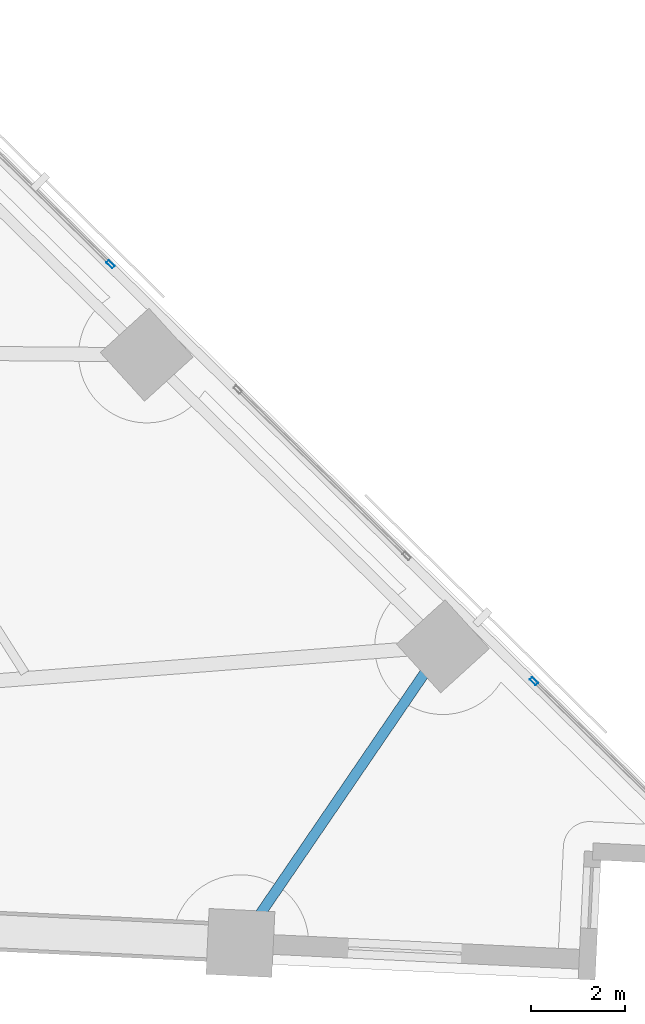
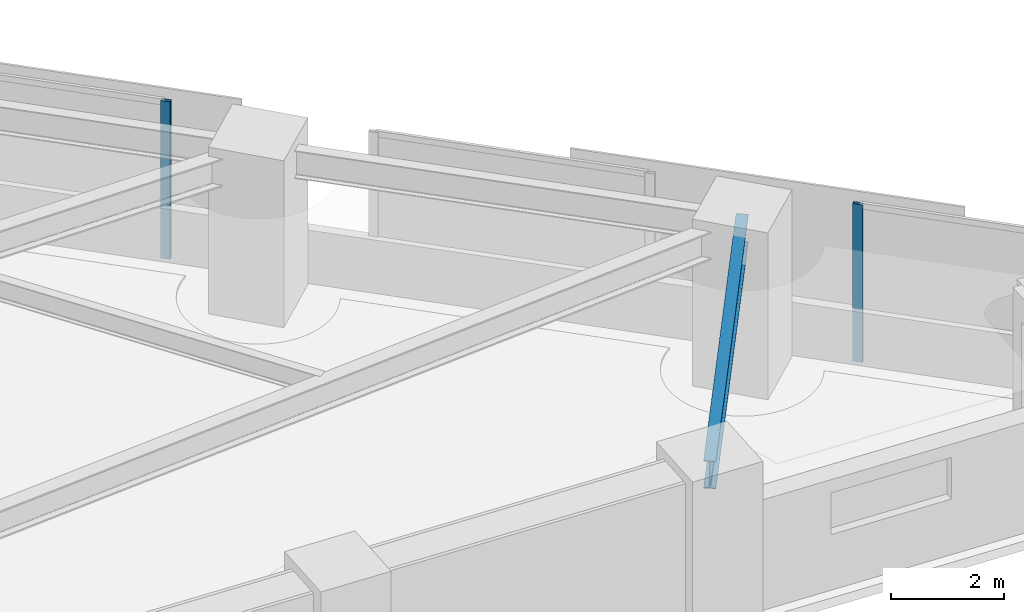
# One storey, part 4 of 17: 2 members, 1 beam, 2 elements without a shape of their own.
"""IFC4 building model written with IfcOpenShell, lengths in metres."""

import ifcopenshell
import ifcopenshell.guid

model = None  # the IFC model being written
_history = None  # IfcOwnerHistory: only IFC2X3 demands one
_inside = {}  # id of a spatial element -> (the spatial element, [elements in it])
_under = {}  # id of a project, library or spatial element -> (it, [spatial elements below it])
_declared = {}  # id of a project -> (the project, [libraries it declares])
_typed = {}  # id of a type object -> (the type object, [elements of that type])
_made_of = {}  # id of a material, layer set ... -> (it, [elements and type objects made of it])


def new_model(schema):
    """Start an empty IFC model of exactly this schema.

    Asked for "IFC4X3", IfcOpenShell would pick the latest addendum, in which some entities
    have other attributes; the version numbers below select the first issue.
    IFC2X3 requires an IfcOwnerHistory on every rooted entity: one is made here for all.
    """
    global model, _history
    if schema == "IFC4X3":
        model = ifcopenshell.file(schema_version=(4, 3, 0, 0))
    else:
        model = ifcopenshell.file(schema=schema)
    _inside.clear()
    _under.clear()
    _declared.clear()
    _typed.clear()
    _made_of.clear()
    _history = None
    if model.schema == "IFC2X3":
        org = make("IfcOrganization", Name="unknown")
        user = make(
            "IfcPersonAndOrganization",
            ThePerson=make("IfcPerson", FamilyName="unknown"),
            TheOrganization=org,
        )
        app = make(
            "IfcApplication",
            ApplicationDeveloper=org,
            Version="unknown",
            ApplicationFullName="unknown",
            ApplicationIdentifier="unknown",
        )
        _history = make(
            "IfcOwnerHistory",
            OwningUser=user,
            OwningApplication=app,
            ChangeAction="ADDED",
            CreationDate=0,
        )
    return model


def make(cls, **values):
    """One entity of the class cls with the attributes given. An attribute that is None is left unset."""
    return model.create_entity(
        cls, **{name: value for name, value in values.items() if value is not None}
    )


def rooted(cls, **values):
    """An entity with a GlobalId (a new one), such as an element, a storey or a relation."""
    return make(cls, GlobalId=ifcopenshell.guid.new(), OwnerHistory=_history, **values)


def si_unit(unit_type, name, prefix=None):
    """IfcSIUnit, for example si_unit("LENGTHUNIT", "METRE", prefix="MILLI")."""
    return make("IfcSIUnit", UnitType=unit_type, Prefix=prefix, Name=name)


def assignment(units):
    """IfcUnitAssignment: the units of a project."""
    return None if units is None else make("IfcUnitAssignment", Units=units)


def point(xyz):
    """IfcCartesianPoint."""
    return None if xyz is None else make("IfcCartesianPoint", Coordinates=xyz)


def direction(xyz):
    """IfcDirection."""
    return None if xyz is None else make("IfcDirection", DirectionRatios=xyz)


def frame(location, z_axis=None, x_axis=None):
    """IfcAxis2Placement3D, a coordinate frame: its origin and axes. An axis left out is left unset."""
    return make(
        "IfcAxis2Placement3D",
        Location=point(location),
        Axis=direction(z_axis),
        RefDirection=direction(x_axis),
    )


def frame_2d(location, x_axis=None):
    """IfcAxis2Placement2D, a coordinate frame in the plane: its origin and x axis."""
    return make(
        "IfcAxis2Placement2D", Location=point(location), RefDirection=direction(x_axis)
    )


def origin():
    """The frame at (0, 0, 0) with its axes left unset."""
    return frame((0.0, 0.0, 0.0))


def origin_2d():
    """The frame at (0, 0) in the plane with its x axis left unset."""
    return frame_2d((0.0, 0.0))


def place(relative_to, where):
    """IfcLocalPlacement: puts the frame where relative to a parent placement (None: the world)."""
    return make(
        "IfcLocalPlacement", PlacementRelTo=relative_to, RelativePlacement=where
    )


def context(
    kind, dimensions, precision=None, world=None, true_north=None, identifier=None
):
    """IfcGeometricRepresentationContext, for example the 3D "Model" context."""
    return make(
        "IfcGeometricRepresentationContext",
        ContextIdentifier=identifier,
        ContextType=kind,
        CoordinateSpaceDimension=dimensions,
        Precision=precision,
        WorldCoordinateSystem=world,
        TrueNorth=true_north,
    )


def subcontext(parent, identifier, kind, view, scale=None):
    """IfcGeometricRepresentationSubContext, for example "Body" below "Model"."""
    return make(
        "IfcGeometricRepresentationSubContext",
        ContextIdentifier=identifier,
        ContextType=kind,
        ParentContext=parent,
        TargetScale=scale,
        TargetView=view,
    )


def project(units=None, contexts=None):
    """IfcProject with its units and contexts."""
    return rooted(
        "IfcProject",
        Name="project",
        RepresentationContexts=contexts,
        UnitsInContext=assignment(units),
    )


def spatial(cls, under=None, at=None, **own):
    """A site, building, storey or space (cls), placed at a placement, below another one or the project."""
    s = rooted(cls, ObjectPlacement=at, **own)
    if under is not None:
        _under.setdefault(under.id(), (under, []))[1].append(s)
    return s


def profile(cls, at=None, kind="AREA", **sizes):
    """A parametric profile (cls). Its sizes go by their IFC names, for example OverallWidth=200.0."""
    return make(cls, ProfileType=kind, Position=at, **sizes)


def hollow_rectangle(**sizes):
    """IfcRectangleHollowProfileDef."""
    return profile("IfcRectangleHollowProfileDef", **sizes)


def i_section(**sizes):
    """IfcIShapeProfileDef."""
    return profile("IfcIShapeProfileDef", **sizes)


def extrude(swept, where, along, depth):
    """IfcExtrudedAreaSolid: the profile swept, set in the frame where, extruded along a direction by depth."""
    return make(
        "IfcExtrudedAreaSolid",
        SweptArea=swept,
        Position=where,
        ExtrudedDirection=direction(along),
        Depth=depth,
    )


def shape(context_of_items, identifier, shape_type, items):
    """IfcShapeRepresentation: the items that make up one representation, for example the "Body"."""
    return make(
        "IfcShapeRepresentation",
        ContextOfItems=context_of_items,
        RepresentationIdentifier=identifier,
        RepresentationType=shape_type,
        Items=items,
    )


def material(Name=None, Category=None):
    """IfcMaterial."""
    return make("IfcMaterial", Name=Name, Category=Category)


def material_profile(
    of_material, cross_section, Name=None, Category=None, Priority=None
):
    """IfcMaterialProfile: a cross section and its material."""
    return make(
        "IfcMaterialProfile",
        Name=Name,
        Material=of_material,
        Profile=cross_section,
        Priority=Priority,
        Category=Category,
    )


def profile_set(profiles, Name=None, composite=None):
    """IfcMaterialProfileSet."""
    return make(
        "IfcMaterialProfileSet",
        Name=Name,
        MaterialProfiles=profiles,
        CompositeProfile=composite,
    )


def made_of(thing, what):
    """Note that an element or type object is made of a material, layer set ...; save() writes the relation."""
    if what is not None:
        _made_of.setdefault(what.id(), (what, []))[1].append(thing)
    return thing


def type_object(cls, material=None, **own):
    """A type object (cls), such as IfcWallType, which elements share."""
    return made_of(rooted(cls, **own), material)


def element(
    cls,
    number,
    at=None,
    inside=None,
    cuts=None,
    type_object=None,
    material=None,
    context=None,
    identifier="Body",
    shape_type=None,
    held_by="IfcProductDefinitionShape",
    body=None,
    shapes=None,
    **own,
):
    """One element of the class cls, such as IfcWall. Its Tag is "e" and its number.

    at: its placement. inside: the storey or other place that contains it. cuts: it is an
    opening in that element (IfcRelVoidsElement). A single representation is given by context,
    identifier, shape_type and body (its items); several are given by shapes. held_by: the class
    of the entity that holds the representations. save() writes the other relations.
    """
    e = rooted(cls, Tag="e%d" % number, ObjectPlacement=at, **own)
    if body is not None:
        shapes = [shape(context, identifier, shape_type, body)]
    if shapes is not None:
        e.Representation = make(held_by, Representations=shapes)
    if inside is not None:
        _inside.setdefault(inside.id(), (inside, []))[1].append(e)
    if cuts is not None:
        rooted(
            "IfcRelVoidsElement", RelatingBuildingElement=cuts, RelatedOpeningElement=e
        )
    if type_object is not None:
        _typed.setdefault(type_object.id(), (type_object, []))[1].append(e)
    return made_of(e, material)


def aggregate(whole, parts):
    """IfcRelAggregates: a whole, such as a stair, and the parts it consists of."""
    return rooted("IfcRelAggregates", RelatingObject=whole, RelatedObjects=parts)


def save(model, path):
    """Write the relations noted so far, then the file.

    IfcRelAggregates (storeys below a building ...), IfcRelContainedInSpatialStructure (elements
    in a storey), IfcRelDefinesByType, IfcRelAssociatesMaterial and IfcRelDeclares: one each for
    every whole, place, type object, material and project.
    """
    for whole, parts in _under.values():
        aggregate(whole, parts)
    for where, things in _inside.values():
        rooted(
            "IfcRelContainedInSpatialStructure",
            RelatedElements=things,
            RelatingStructure=where,
        )
    for kind, things in _typed.values():
        rooted("IfcRelDefinesByType", RelatedObjects=things, RelatingType=kind)
    for what, things in _made_of.values():
        rooted("IfcRelAssociatesMaterial", RelatedObjects=things, RelatingMaterial=what)
    for by, libraries in _declared.values():
        rooted("IfcRelDeclares", RelatingContext=by, RelatedDefinitions=libraries)
    model.write(path)


model = new_model("IFC4")

# Units and contexts
model_context = context("Model", 3, precision=1e-05, world=origin(), true_north=direction((0.0, 1.0)))
body_context = subcontext(model_context, "Body", "Model", "MODEL_VIEW")
ifc_project = project(units=[si_unit("LENGTHUNIT", "METRE"), si_unit("AREAUNIT", "SQUARE_METRE"), si_unit("VOLUMEUNIT", "CUBIC_METRE"), si_unit("PLANEANGLEUNIT", "RADIAN"), si_unit("MASSUNIT", "GRAM", prefix="KILO")], contexts=[model_context])

# Site, building, storey
site_placement = place(None, origin())
site = spatial("IfcSite", under=ifc_project, at=site_placement, CompositionType="ELEMENT")
building_placement = place(site_placement, origin())
building = spatial("IfcBuilding", under=site, at=building_placement, Name="Narakoshi Arena Tower", CompositionType="ELEMENT")
storey_placement = place(building_placement, frame((0.0, 0.0, 30.300048828125)))
storey = spatial("IfcBuildingStorey", under=building, at=storey_placement, Name="L07", CompositionType="ELEMENT", Elevation=30.300048828125)

# Beam
ifc_material_1 = material(Name="Structural steel S355J2", Category="steel")
ifc_material_profile_1 = material_profile(ifc_material_1, i_section(OverallWidth=0.219970703125, OverallDepth=0.60009765625, WebThickness=0.011962890625, FlangeThickness=0.01904296875, FilletRadius=0.02392578125, at=origin_2d()), Name="IPE600")
ifc_profile_set_1 = profile_set([ifc_material_profile_1], Name="Structural steel S355J2")
beam_type = type_object("IfcBeamType", Name="BM-EDGE-600", PredefinedType="BEAM", material=ifc_profile_set_1)
beam_placement = place(storey_placement, frame((110.636474609375, 30.661865234375, 3.099853515625), z_axis=(0.563755333308, 0.825941840668, 0.0), x_axis=(-0.825941840668, 0.563755333308, 0.0)))
element("IfcBeam", 1, at=beam_placement, inside=storey, type_object=beam_type, Name="L07 Perimeter Edge Girder 04", PredefinedType="BEAM", context=body_context, shape_type="SweptSolid", body=[
    extrude(i_section(OverallWidth=0.219970703125, OverallDepth=0.60009765625, WebThickness=0.011962890625, FlangeThickness=0.01904296875, FilletRadius=0.02392578125, at=origin_2d()), origin(), (0.0, 0.0, 1.0), 7.637451171875),
])

# Curtain wall, member
ifc_material_2 = material(Name="Anodised bronze aluminium 6063-T6", Category="aluminium")
curtain_wall_type = type_object("IfcCurtainWallType", Name="CW-HYP-LOW", PredefinedType="NOTDEFINED", material=ifc_material_2)
curtain_wall_1_placement = place(storey_placement, origin())
curtain_wall_1 = element("IfcCurtainWall", 2, at=curtain_wall_1_placement, inside=storey, type_object=curtain_wall_type, Name="L07 Folded Hypotenuse Curtain Wall 1-1", PredefinedType="NOTDEFINED")
ifc_material_profile_2 = material_profile(ifc_material_2, hollow_rectangle(XDim=0.074951171875, YDim=0.179931640625, WallThickness=0.00390625, OuterFilletRadius=0.0048828125, at=origin_2d()), Name="MUL180x75x4")
ifc_profile_set_2 = profile_set([ifc_material_profile_2], Name="Anodised bronze aluminium 6063-T6")
member_type = type_object("IfcMemberType", Name="MEM-MUL-180", PredefinedType="MULLION", material=ifc_profile_set_2)
member_1_placement = place(storey_placement, frame((116.87744140625, 36.229248046875, 0.0), z_axis=(0.0, 0.0, 1.0), x_axis=(-0.701630192894, -0.712541277695, 0.0)))
member_1 = element("IfcMember", 3, at=member_1_placement, type_object=member_type, Name="CW-01 mullion 2", PredefinedType="MULLION", context=body_context, shape_type="SweptSolid", body=[
    extrude(hollow_rectangle(XDim=0.074951171875, YDim=0.179931640625, WallThickness=0.00390625, OuterFilletRadius=0.0048828125, at=origin_2d()), origin(), (0.0, 0.0, 1.0), 3.39990234375),
])
aggregate(curtain_wall_1, [member_1])

curtain_wall_2_placement = place(storey_placement, origin())
curtain_wall_2 = element("IfcCurtainWall", 4, at=curtain_wall_2_placement, inside=storey, type_object=curtain_wall_type, Name="L07 Folded Hypotenuse Curtain Wall 1-3", PredefinedType="NOTDEFINED")
member_2_placement = place(storey_placement, frame((107.872802734375, 45.095947265625, 0.0), z_axis=(0.0, 0.0, 1.0), x_axis=(-0.701632802488, -0.712538708053, 0.0)))
member_2 = element("IfcMember", 5, at=member_2_placement, type_object=member_type, Name="CW-01 mullion 1", PredefinedType="MULLION", context=body_context, shape_type="SweptSolid", body=[
    extrude(hollow_rectangle(XDim=0.074951171875, YDim=0.179931640625, WallThickness=0.00390625, OuterFilletRadius=0.0048828125, at=origin_2d()), origin(), (0.0, 0.0, 1.0), 3.39990234375),
])
aggregate(curtain_wall_2, [member_2])

save(model, "model.ifc")
